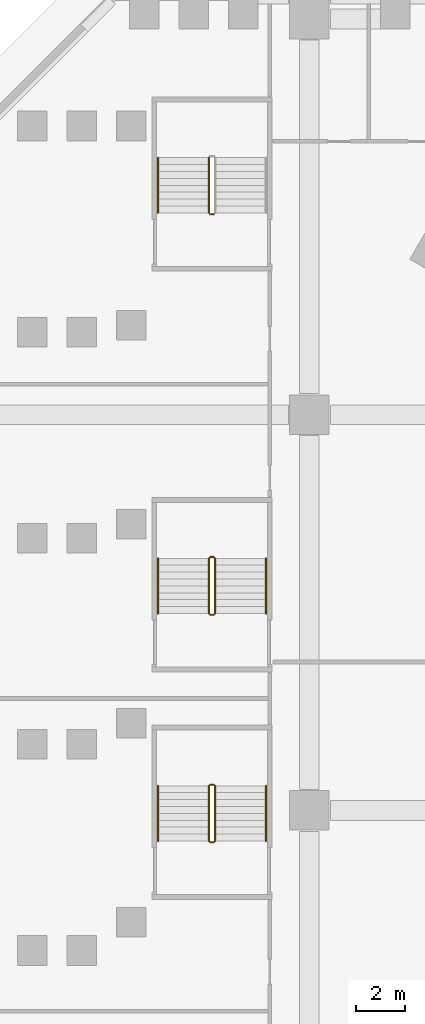
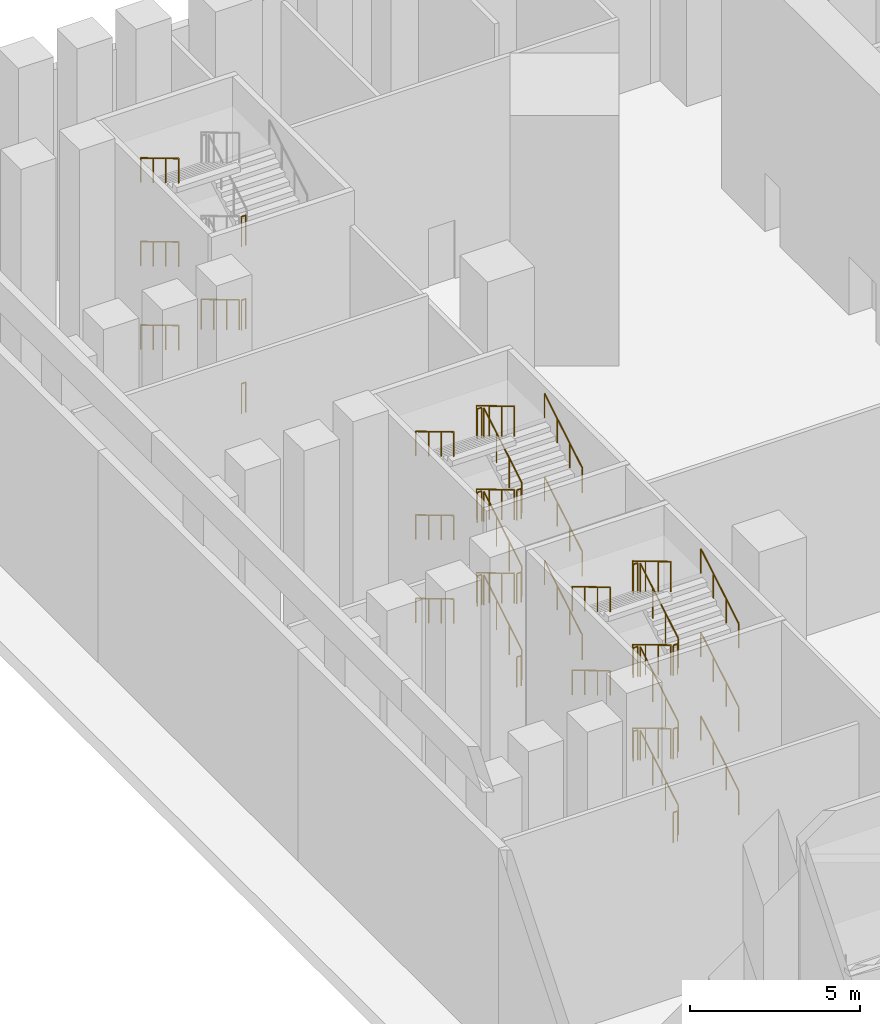
# One storey, part 18 of 25: 42 railings.
"""IFC4 building model written with IfcOpenShell, lengths in metres."""

from ifc_helpers import new_model, si_unit, direction, frame, origin, origin_2d, place, context, subcontext, project, spatial, circle, extrude, material, type_object, element, save


model = new_model("IFC4")

# Units and contexts
model_context = context("Model", 3, precision=1e-05, world=origin(), true_north=direction((0.0, 1.0)))
body_context = subcontext(model_context, "Body", "Model", "MODEL_VIEW")
ifc_project = project(units=[si_unit("LENGTHUNIT", "METRE"), si_unit("AREAUNIT", "SQUARE_METRE"), si_unit("VOLUMEUNIT", "CUBIC_METRE"), si_unit("PLANEANGLEUNIT", "RADIAN"), si_unit("MASSUNIT", "GRAM", prefix="KILO")], contexts=[model_context])

# Site, building, storey
site_placement = place(None, origin())
site = spatial("IfcSite", under=ifc_project, at=site_placement, CompositionType="ELEMENT")
building_placement = place(site_placement, origin())
building = spatial("IfcBuilding", under=site, at=building_placement, Name="Calabash Gate Tower", CompositionType="ELEMENT")
storey_placement = place(building_placement, frame((0.0, 0.0, 20.0)))
storey = spatial("IfcBuildingStorey", under=building, at=storey_placement, Name="L02", CompositionType="ELEMENT", Elevation=20.0)

# Railings
ifc_material_1 = material(Name="Black powder-coated steel balusters", Category="steel")
railing_type_1 = type_object("IfcRailingType", Name="Stair guard RL1100", PredefinedType="GUARDRAIL", material=ifc_material_1)
railing_1_placement = place(storey_placement, frame((-35.81005859375, -9.239990234375, 0.166748046875)))
element("IfcRailing", 1, at=railing_1_placement, inside=storey, type_object=railing_type_1, Name="L02 PS3 stair guard 1", PredefinedType="GUARDRAIL", context=body_context, shape_type="SweptSolid", body=[
    extrude(circle(Radius=0.02392578125, at=origin_2d()), frame((0.0, 0.0, 1.076171875), z_axis=(0.0, 0.858493888361, 0.512823793955), x_axis=(-1.0, 0.0, 0.0)), (0.0, 0.0, 1.0), 2.599853515625),
    extrude(circle(Radius=0.02099609375, at=origin_2d()), origin(), (0.0, 0.0, 1.0), 1.052001953125),
    extrude(circle(Radius=0.02099609375, at=origin_2d()), frame((0.0, 0.743896484375, 0.4443359375)), (0.0, 0.0, 1.0), 1.052001953125),
    extrude(circle(Radius=0.02099609375, at=origin_2d()), frame((0.0, 1.488037109375, 0.888916015625)), (0.0, 0.0, 1.0), 1.052001953125),
    extrude(circle(Radius=0.02099609375, at=origin_2d()), frame((0.0, 2.23193359375, 1.333251953125)), (0.0, 0.0, 1.0), 1.052001953125),
])
railing_2_placement = place(storey_placement, frame((-35.860107421875, -6.9580078125, 1.5)))
element("IfcRailing", 2, at=railing_2_placement, inside=storey, type_object=railing_type_1, Name="L02 PS3 stair guard 2", PredefinedType="GUARDRAIL", context=body_context, shape_type="SweptSolid", body=[
    extrude(circle(Radius=0.02392578125, at=origin_2d()), frame((0.0, 0.0, 1.076171875), z_axis=(-1.0, 0.0, 0.0), x_axis=(0.0, -1.0, 0.0)), (0.0, 0.0, 1.0), 0.14990234375),
    extrude(circle(Radius=0.02099609375, at=origin_2d()), origin(), (0.0, 0.0, 1.0), 1.052001953125),
    extrude(circle(Radius=0.02099609375, at=origin_2d()), frame((-0.14990234375, 0.0, 0.0)), (0.0, 0.0, 1.0), 1.052001953125),
])
railing_3_placement = place(storey_placement, frame((-36.06005859375, -7.008056640625, 1.666748046875)))
element("IfcRailing", 3, at=railing_3_placement, inside=storey, type_object=railing_type_1, Name="L02 PS3 stair guard 3", PredefinedType="GUARDRAIL", context=body_context, shape_type="SweptSolid", body=[
    extrude(circle(Radius=0.02392578125, at=origin_2d()), frame((0.0, 0.0, 1.076171875), z_axis=(0.0, -0.858493888361, 0.512823793955), x_axis=(1.0, 0.0, 0.0)), (0.0, 0.0, 1.0), 2.599853515625),
    extrude(circle(Radius=0.02099609375, at=origin_2d()), origin(), (0.0, 0.0, 1.0), 1.052001953125),
    extrude(circle(Radius=0.02099609375, at=origin_2d()), frame((0.0, -0.743896484375, 0.4443359375)), (0.0, 0.0, 1.0), 1.052001953125),
    extrude(circle(Radius=0.02099609375, at=origin_2d()), frame((0.0, -1.488037109375, 0.888916015625)), (0.0, 0.0, 1.0), 1.052001953125),
    extrude(circle(Radius=0.02099609375, at=origin_2d()), frame((0.0, -2.23193359375, 1.333251953125)), (0.0, 0.0, 1.0), 1.052001953125),
])
railing_4_placement = place(storey_placement, frame((-35.860107421875, -9.2900390625, 3.0)))
element("IfcRailing", 4, at=railing_4_placement, inside=storey, type_object=railing_type_1, Name="L02 PS3 stair guard 4", PredefinedType="GUARDRAIL", context=body_context, shape_type="SweptSolid", body=[
    extrude(circle(Radius=0.02392578125, at=origin_2d()), frame((0.0, 0.0, 1.076171875), z_axis=(-1.0, 0.0, 0.0), x_axis=(0.0, -1.0, 0.0)), (0.0, 0.0, 1.0), 0.14990234375),
    extrude(circle(Radius=0.02099609375, at=origin_2d()), origin(), (0.0, 0.0, 1.0), 1.052001953125),
    extrude(circle(Radius=0.02099609375, at=origin_2d()), frame((-0.14990234375, 0.0, 0.0)), (0.0, 0.0, 1.0), 1.052001953125),
])
railing_5_placement = place(storey_placement, frame((-35.81005859375, -9.239990234375, 3.166748046875)))
element("IfcRailing", 5, at=railing_5_placement, inside=storey, type_object=railing_type_1, Name="L02 PS3 stair guard 5", PredefinedType="GUARDRAIL", context=body_context, shape_type="SweptSolid", body=[
    extrude(circle(Radius=0.02392578125, at=origin_2d()), frame((0.0, 0.0, 1.076171875), z_axis=(0.0, 0.858493888361, 0.512823793955), x_axis=(-1.0, 0.0, 0.0)), (0.0, 0.0, 1.0), 2.599853515625),
    extrude(circle(Radius=0.02099609375, at=origin_2d()), origin(), (0.0, 0.0, 1.0), 1.052001953125),
    extrude(circle(Radius=0.02099609375, at=origin_2d()), frame((0.0, 0.743896484375, 0.4443359375)), (0.0, 0.0, 1.0), 1.052001953125),
    extrude(circle(Radius=0.02099609375, at=origin_2d()), frame((0.0, 1.488037109375, 0.888916015625)), (0.0, 0.0, 1.0), 1.052001953125),
    extrude(circle(Radius=0.02099609375, at=origin_2d()), frame((0.0, 2.23193359375, 1.333251953125)), (0.0, 0.0, 1.0), 1.052001953125),
])
railing_6_placement = place(storey_placement, frame((-35.860107421875, -6.9580078125, 4.5)))
element("IfcRailing", 6, at=railing_6_placement, inside=storey, type_object=railing_type_1, Name="L02 PS3 stair guard 6", PredefinedType="GUARDRAIL", context=body_context, shape_type="SweptSolid", body=[
    extrude(circle(Radius=0.02392578125, at=origin_2d()), frame((0.0, 0.0, 1.076171875), z_axis=(-1.0, 0.0, 0.0), x_axis=(0.0, -1.0, 0.0)), (0.0, 0.0, 1.0), 0.14990234375),
    extrude(circle(Radius=0.02099609375, at=origin_2d()), origin(), (0.0, 0.0, 1.0), 1.052001953125),
    extrude(circle(Radius=0.02099609375, at=origin_2d()), frame((-0.14990234375, 0.0, 0.0)), (0.0, 0.0, 1.0), 1.052001953125),
])
railing_7_placement = place(storey_placement, frame((-36.06005859375, -7.008056640625, 4.666748046875)))
element("IfcRailing", 7, at=railing_7_placement, inside=storey, type_object=railing_type_1, Name="L02 PS3 stair guard 7", PredefinedType="GUARDRAIL", context=body_context, shape_type="SweptSolid", body=[
    extrude(circle(Radius=0.02392578125, at=origin_2d()), frame((0.0, 0.0, 1.076171875), z_axis=(0.0, -0.858493888361, 0.512823793955), x_axis=(1.0, 0.0, 0.0)), (0.0, 0.0, 1.0), 2.599853515625),
    extrude(circle(Radius=0.02099609375, at=origin_2d()), origin(), (0.0, 0.0, 1.0), 1.052001953125),
    extrude(circle(Radius=0.02099609375, at=origin_2d()), frame((0.0, -0.743896484375, 0.4443359375)), (0.0, 0.0, 1.0), 1.052001953125),
    extrude(circle(Radius=0.02099609375, at=origin_2d()), frame((0.0, -1.488037109375, 0.888916015625)), (0.0, 0.0, 1.0), 1.052001953125),
    extrude(circle(Radius=0.02099609375, at=origin_2d()), frame((0.0, -2.23193359375, 1.333251953125)), (0.0, 0.0, 1.0), 1.052001953125),
])
railing_8_placement = place(storey_placement, frame((-35.860107421875, -9.2900390625, 6.0)))
element("IfcRailing", 8, at=railing_8_placement, inside=storey, type_object=railing_type_1, Name="L02 PS3 stair guard 8", PredefinedType="GUARDRAIL", context=body_context, shape_type="SweptSolid", body=[
    extrude(circle(Radius=0.02392578125, at=origin_2d()), frame((0.0, 0.0, 1.076171875), z_axis=(-1.0, 0.0, 0.0), x_axis=(0.0, -1.0, 0.0)), (0.0, 0.0, 1.0), 0.14990234375),
    extrude(circle(Radius=0.02099609375, at=origin_2d()), origin(), (0.0, 0.0, 1.0), 1.052001953125),
    extrude(circle(Radius=0.02099609375, at=origin_2d()), frame((-0.14990234375, 0.0, 0.0)), (0.0, 0.0, 1.0), 1.052001953125),
])
railing_9_placement = place(storey_placement, frame((-35.81005859375, -9.239990234375, 6.166748046875)))
element("IfcRailing", 9, at=railing_9_placement, inside=storey, type_object=railing_type_1, Name="L02 PS3 stair guard 9", PredefinedType="GUARDRAIL", context=body_context, shape_type="SweptSolid", body=[
    extrude(circle(Radius=0.02392578125, at=origin_2d()), frame((0.0, 0.0, 1.076171875), z_axis=(0.0, 0.858493888361, 0.512823793955), x_axis=(-1.0, 0.0, 0.0)), (0.0, 0.0, 1.0), 2.599853515625),
    extrude(circle(Radius=0.02099609375, at=origin_2d()), origin(), (0.0, 0.0, 1.0), 1.052001953125),
    extrude(circle(Radius=0.02099609375, at=origin_2d()), frame((0.0, 0.743896484375, 0.4443359375)), (0.0, 0.0, 1.0), 1.052001953125),
    extrude(circle(Radius=0.02099609375, at=origin_2d()), frame((0.0, 1.488037109375, 0.888916015625)), (0.0, 0.0, 1.0), 1.052001953125),
    extrude(circle(Radius=0.02099609375, at=origin_2d()), frame((0.0, 2.23193359375, 1.333251953125)), (0.0, 0.0, 1.0), 1.052001953125),
])
railing_10_placement = place(storey_placement, frame((-35.860107421875, -6.9580078125, 7.5)))
element("IfcRailing", 10, at=railing_10_placement, inside=storey, type_object=railing_type_1, Name="L02 PS3 stair guard 10", PredefinedType="GUARDRAIL", context=body_context, shape_type="SweptSolid", body=[
    extrude(circle(Radius=0.02392578125, at=origin_2d()), frame((0.0, 0.0, 1.076171875), z_axis=(-1.0, 0.0, 0.0), x_axis=(0.0, -1.0, 0.0)), (0.0, 0.0, 1.0), 0.14990234375),
    extrude(circle(Radius=0.02099609375, at=origin_2d()), origin(), (0.0, 0.0, 1.0), 1.052001953125),
    extrude(circle(Radius=0.02099609375, at=origin_2d()), frame((-0.14990234375, 0.0, 0.0)), (0.0, 0.0, 1.0), 1.052001953125),
])
railing_11_placement = place(storey_placement, frame((-36.06005859375, -7.008056640625, 7.666748046875)))
element("IfcRailing", 11, at=railing_11_placement, inside=storey, type_object=railing_type_1, Name="L02 PS3 stair guard 11", PredefinedType="GUARDRAIL", context=body_context, shape_type="SweptSolid", body=[
    extrude(circle(Radius=0.02392578125, at=origin_2d()), frame((0.0, 0.0, 1.076171875), z_axis=(0.0, -0.858493888361, 0.512823793955), x_axis=(1.0, 0.0, 0.0)), (0.0, 0.0, 1.0), 2.599853515625),
    extrude(circle(Radius=0.02099609375, at=origin_2d()), origin(), (0.0, 0.0, 1.0), 1.052001953125),
    extrude(circle(Radius=0.02099609375, at=origin_2d()), frame((0.0, -0.743896484375, 0.4443359375)), (0.0, 0.0, 1.0), 1.052001953125),
    extrude(circle(Radius=0.02099609375, at=origin_2d()), frame((0.0, -1.488037109375, 0.888916015625)), (0.0, 0.0, 1.0), 1.052001953125),
    extrude(circle(Radius=0.02099609375, at=origin_2d()), frame((0.0, -2.23193359375, 1.333251953125)), (0.0, 0.0, 1.0), 1.052001953125),
])
railing_12_placement = place(storey_placement, frame((-35.860107421875, -9.2900390625, 0.0)))
element("IfcRailing", 12, at=railing_12_placement, inside=storey, type_object=railing_type_1, Name="L02 PS3 stair guard 12", PredefinedType="GUARDRAIL", context=body_context, shape_type="SweptSolid", body=[
    extrude(circle(Radius=0.02392578125, at=origin_2d()), frame((0.0, 0.0, 1.076171875), z_axis=(-1.0, 0.0, 0.0), x_axis=(0.0, -1.0, 0.0)), (0.0, 0.0, 1.0), 0.14990234375),
    extrude(circle(Radius=0.02099609375, at=origin_2d()), origin(), (0.0, 0.0, 1.0), 1.052001953125),
    extrude(circle(Radius=0.02099609375, at=origin_2d()), frame((-0.14990234375, 0.0, 0.0)), (0.0, 0.0, 1.0), 1.052001953125),
])
railing_13_placement = place(storey_placement, frame((-35.81005859375, -0.0400390625, 0.166748046875)))
element("IfcRailing", 13, at=railing_13_placement, inside=storey, type_object=railing_type_1, Name="L02 PS4 stair guard 1", PredefinedType="GUARDRAIL", context=body_context, shape_type="SweptSolid", body=[
    extrude(circle(Radius=0.02392578125, at=origin_2d()), frame((0.0, 0.0, 1.076171875), z_axis=(0.0, 0.858493888361, 0.512823793955), x_axis=(-1.0, 0.0, 0.0)), (0.0, 0.0, 1.0), 2.599853515625),
    extrude(circle(Radius=0.02099609375, at=origin_2d()), origin(), (0.0, 0.0, 1.0), 1.052001953125),
    extrude(circle(Radius=0.02099609375, at=origin_2d()), frame((0.0, 0.743896484375, 0.4443359375)), (0.0, 0.0, 1.0), 1.052001953125),
    extrude(circle(Radius=0.02099609375, at=origin_2d()), frame((0.0, 1.488037109375, 0.888916015625)), (0.0, 0.0, 1.0), 1.052001953125),
    extrude(circle(Radius=0.02099609375, at=origin_2d()), frame((0.0, 2.23193359375, 1.333251953125)), (0.0, 0.0, 1.0), 1.052001953125),
])
railing_14_placement = place(storey_placement, frame((-35.860107421875, 2.241943359375, 1.5)))
element("IfcRailing", 14, at=railing_14_placement, inside=storey, type_object=railing_type_1, Name="L02 PS4 stair guard 2", PredefinedType="GUARDRAIL", context=body_context, shape_type="SweptSolid", body=[
    extrude(circle(Radius=0.02392578125, at=origin_2d()), frame((0.0, 0.0, 1.076171875), z_axis=(-1.0, 0.0, 0.0), x_axis=(0.0, -1.0, 0.0)), (0.0, 0.0, 1.0), 0.14990234375),
    extrude(circle(Radius=0.02099609375, at=origin_2d()), origin(), (0.0, 0.0, 1.0), 1.052001953125),
    extrude(circle(Radius=0.02099609375, at=origin_2d()), frame((-0.14990234375, 0.0, 0.0)), (0.0, 0.0, 1.0), 1.052001953125),
])
railing_15_placement = place(storey_placement, frame((-36.06005859375, 2.19189453125, 1.666748046875)))
element("IfcRailing", 15, at=railing_15_placement, inside=storey, type_object=railing_type_1, Name="L02 PS4 stair guard 3", PredefinedType="GUARDRAIL", context=body_context, shape_type="SweptSolid", body=[
    extrude(circle(Radius=0.02392578125, at=origin_2d()), frame((0.0, 0.0, 1.076171875), z_axis=(0.0, -0.858493888361, 0.512823793955), x_axis=(1.0, 0.0, 0.0)), (0.0, 0.0, 1.0), 2.599853515625),
    extrude(circle(Radius=0.02099609375, at=origin_2d()), origin(), (0.0, 0.0, 1.0), 1.052001953125),
    extrude(circle(Radius=0.02099609375, at=origin_2d()), frame((0.0, -0.743896484375, 0.4443359375)), (0.0, 0.0, 1.0), 1.052001953125),
    extrude(circle(Radius=0.02099609375, at=origin_2d()), frame((0.0, -1.488037109375, 0.888916015625)), (0.0, 0.0, 1.0), 1.052001953125),
    extrude(circle(Radius=0.02099609375, at=origin_2d()), frame((0.0, -2.23193359375, 1.333251953125)), (0.0, 0.0, 1.0), 1.052001953125),
])
railing_16_placement = place(storey_placement, frame((-35.860107421875, -0.090087890625, 3.0)))
element("IfcRailing", 16, at=railing_16_placement, inside=storey, type_object=railing_type_1, Name="L02 PS4 stair guard 4", PredefinedType="GUARDRAIL", context=body_context, shape_type="SweptSolid", body=[
    extrude(circle(Radius=0.02392578125, at=origin_2d()), frame((0.0, 0.0, 1.076171875), z_axis=(-1.0, 0.0, 0.0), x_axis=(0.0, -1.0, 0.0)), (0.0, 0.0, 1.0), 0.14990234375),
    extrude(circle(Radius=0.02099609375, at=origin_2d()), origin(), (0.0, 0.0, 1.0), 1.052001953125),
    extrude(circle(Radius=0.02099609375, at=origin_2d()), frame((-0.14990234375, 0.0, 0.0)), (0.0, 0.0, 1.0), 1.052001953125),
])
railing_17_placement = place(storey_placement, frame((-35.81005859375, -0.0400390625, 3.166748046875)))
element("IfcRailing", 17, at=railing_17_placement, inside=storey, type_object=railing_type_1, Name="L02 PS4 stair guard 5", PredefinedType="GUARDRAIL", context=body_context, shape_type="SweptSolid", body=[
    extrude(circle(Radius=0.02392578125, at=origin_2d()), frame((0.0, 0.0, 1.076171875), z_axis=(0.0, 0.858493888361, 0.512823793955), x_axis=(-1.0, 0.0, 0.0)), (0.0, 0.0, 1.0), 2.599853515625),
    extrude(circle(Radius=0.02099609375, at=origin_2d()), origin(), (0.0, 0.0, 1.0), 1.052001953125),
    extrude(circle(Radius=0.02099609375, at=origin_2d()), frame((0.0, 0.743896484375, 0.4443359375)), (0.0, 0.0, 1.0), 1.052001953125),
    extrude(circle(Radius=0.02099609375, at=origin_2d()), frame((0.0, 1.488037109375, 0.888916015625)), (0.0, 0.0, 1.0), 1.052001953125),
    extrude(circle(Radius=0.02099609375, at=origin_2d()), frame((0.0, 2.23193359375, 1.333251953125)), (0.0, 0.0, 1.0), 1.052001953125),
])
railing_18_placement = place(storey_placement, frame((-35.860107421875, 2.241943359375, 4.5)))
element("IfcRailing", 18, at=railing_18_placement, inside=storey, type_object=railing_type_1, Name="L02 PS4 stair guard 6", PredefinedType="GUARDRAIL", context=body_context, shape_type="SweptSolid", body=[
    extrude(circle(Radius=0.02392578125, at=origin_2d()), frame((0.0, 0.0, 1.076171875), z_axis=(-1.0, 0.0, 0.0), x_axis=(0.0, -1.0, 0.0)), (0.0, 0.0, 1.0), 0.14990234375),
    extrude(circle(Radius=0.02099609375, at=origin_2d()), origin(), (0.0, 0.0, 1.0), 1.052001953125),
    extrude(circle(Radius=0.02099609375, at=origin_2d()), frame((-0.14990234375, 0.0, 0.0)), (0.0, 0.0, 1.0), 1.052001953125),
])
railing_19_placement = place(storey_placement, frame((-36.06005859375, 2.19189453125, 4.666748046875)))
element("IfcRailing", 19, at=railing_19_placement, inside=storey, type_object=railing_type_1, Name="L02 PS4 stair guard 7", PredefinedType="GUARDRAIL", context=body_context, shape_type="SweptSolid", body=[
    extrude(circle(Radius=0.02392578125, at=origin_2d()), frame((0.0, 0.0, 1.076171875), z_axis=(0.0, -0.858493888361, 0.512823793955), x_axis=(1.0, 0.0, 0.0)), (0.0, 0.0, 1.0), 2.599853515625),
    extrude(circle(Radius=0.02099609375, at=origin_2d()), origin(), (0.0, 0.0, 1.0), 1.052001953125),
    extrude(circle(Radius=0.02099609375, at=origin_2d()), frame((0.0, -0.743896484375, 0.4443359375)), (0.0, 0.0, 1.0), 1.052001953125),
    extrude(circle(Radius=0.02099609375, at=origin_2d()), frame((0.0, -1.488037109375, 0.888916015625)), (0.0, 0.0, 1.0), 1.052001953125),
    extrude(circle(Radius=0.02099609375, at=origin_2d()), frame((0.0, -2.23193359375, 1.333251953125)), (0.0, 0.0, 1.0), 1.052001953125),
])
railing_20_placement = place(storey_placement, frame((-35.860107421875, -0.090087890625, 6.0)))
element("IfcRailing", 20, at=railing_20_placement, inside=storey, type_object=railing_type_1, Name="L02 PS4 stair guard 8", PredefinedType="GUARDRAIL", context=body_context, shape_type="SweptSolid", body=[
    extrude(circle(Radius=0.02392578125, at=origin_2d()), frame((0.0, 0.0, 1.076171875), z_axis=(-1.0, 0.0, 0.0), x_axis=(0.0, -1.0, 0.0)), (0.0, 0.0, 1.0), 0.14990234375),
    extrude(circle(Radius=0.02099609375, at=origin_2d()), origin(), (0.0, 0.0, 1.0), 1.052001953125),
    extrude(circle(Radius=0.02099609375, at=origin_2d()), frame((-0.14990234375, 0.0, 0.0)), (0.0, 0.0, 1.0), 1.052001953125),
])
railing_21_placement = place(storey_placement, frame((-35.81005859375, -0.0400390625, 6.166748046875)))
element("IfcRailing", 21, at=railing_21_placement, inside=storey, type_object=railing_type_1, Name="L02 PS4 stair guard 9", PredefinedType="GUARDRAIL", context=body_context, shape_type="SweptSolid", body=[
    extrude(circle(Radius=0.02392578125, at=origin_2d()), frame((0.0, 0.0, 1.076171875), z_axis=(0.0, 0.858493888361, 0.512823793955), x_axis=(-1.0, 0.0, 0.0)), (0.0, 0.0, 1.0), 2.599853515625),
    extrude(circle(Radius=0.02099609375, at=origin_2d()), origin(), (0.0, 0.0, 1.0), 1.052001953125),
    extrude(circle(Radius=0.02099609375, at=origin_2d()), frame((0.0, 0.743896484375, 0.4443359375)), (0.0, 0.0, 1.0), 1.052001953125),
    extrude(circle(Radius=0.02099609375, at=origin_2d()), frame((0.0, 1.488037109375, 0.888916015625)), (0.0, 0.0, 1.0), 1.052001953125),
    extrude(circle(Radius=0.02099609375, at=origin_2d()), frame((0.0, 2.23193359375, 1.333251953125)), (0.0, 0.0, 1.0), 1.052001953125),
])
railing_22_placement = place(storey_placement, frame((-35.860107421875, 2.241943359375, 7.5)))
element("IfcRailing", 22, at=railing_22_placement, inside=storey, type_object=railing_type_1, Name="L02 PS4 stair guard 10", PredefinedType="GUARDRAIL", context=body_context, shape_type="SweptSolid", body=[
    extrude(circle(Radius=0.02392578125, at=origin_2d()), frame((0.0, 0.0, 1.076171875), z_axis=(-1.0, 0.0, 0.0), x_axis=(0.0, -1.0, 0.0)), (0.0, 0.0, 1.0), 0.14990234375),
    extrude(circle(Radius=0.02099609375, at=origin_2d()), origin(), (0.0, 0.0, 1.0), 1.052001953125),
    extrude(circle(Radius=0.02099609375, at=origin_2d()), frame((-0.14990234375, 0.0, 0.0)), (0.0, 0.0, 1.0), 1.052001953125),
])
railing_23_placement = place(storey_placement, frame((-36.06005859375, 2.19189453125, 7.666748046875)))
element("IfcRailing", 23, at=railing_23_placement, inside=storey, type_object=railing_type_1, Name="L02 PS4 stair guard 11", PredefinedType="GUARDRAIL", context=body_context, shape_type="SweptSolid", body=[
    extrude(circle(Radius=0.02392578125, at=origin_2d()), frame((0.0, 0.0, 1.076171875), z_axis=(0.0, -0.858493888361, 0.512823793955), x_axis=(1.0, 0.0, 0.0)), (0.0, 0.0, 1.0), 2.599853515625),
    extrude(circle(Radius=0.02099609375, at=origin_2d()), origin(), (0.0, 0.0, 1.0), 1.052001953125),
    extrude(circle(Radius=0.02099609375, at=origin_2d()), frame((0.0, -0.743896484375, 0.4443359375)), (0.0, 0.0, 1.0), 1.052001953125),
    extrude(circle(Radius=0.02099609375, at=origin_2d()), frame((0.0, -1.488037109375, 0.888916015625)), (0.0, 0.0, 1.0), 1.052001953125),
    extrude(circle(Radius=0.02099609375, at=origin_2d()), frame((0.0, -2.23193359375, 1.333251953125)), (0.0, 0.0, 1.0), 1.052001953125),
])
railing_24_placement = place(storey_placement, frame((-35.860107421875, -0.090087890625, 0.0)))
element("IfcRailing", 24, at=railing_24_placement, inside=storey, type_object=railing_type_1, Name="L02 PS4 stair guard 12", PredefinedType="GUARDRAIL", context=body_context, shape_type="SweptSolid", body=[
    extrude(circle(Radius=0.02392578125, at=origin_2d()), frame((0.0, 0.0, 1.076171875), z_axis=(-1.0, 0.0, 0.0), x_axis=(0.0, -1.0, 0.0)), (0.0, 0.0, 1.0), 0.14990234375),
    extrude(circle(Radius=0.02099609375, at=origin_2d()), origin(), (0.0, 0.0, 1.0), 1.052001953125),
    extrude(circle(Radius=0.02099609375, at=origin_2d()), frame((-0.14990234375, 0.0, 0.0)), (0.0, 0.0, 1.0), 1.052001953125),
])
railing_25_placement = place(storey_placement, frame((-36.06005859375, 18.39208984375, 1.666748046875)))
element("IfcRailing", 25, at=railing_25_placement, inside=storey, type_object=railing_type_1, Name="L02 PS5 stair guard 3", PredefinedType="GUARDRAIL", context=body_context, shape_type="SweptSolid", body=[
    extrude(circle(Radius=0.02392578125, at=origin_2d()), frame((0.0, 0.0, 1.076171875), z_axis=(0.0, -0.8585185817, 0.512782453753), x_axis=(1.0, 0.0, 0.0)), (0.0, 0.0, 1.0), 2.60009765625),
    extrude(circle(Radius=0.02099609375, at=origin_2d()), origin(), (0.0, 0.0, 1.0), 1.052001953125),
    extrude(circle(Radius=0.02099609375, at=origin_2d()), frame((0.0, -0.744140625, 0.4443359375)), (0.0, 0.0, 1.0), 1.052001953125),
    extrude(circle(Radius=0.02099609375, at=origin_2d()), frame((0.0, -1.488037109375, 0.888916015625)), (0.0, 0.0, 1.0), 1.052001953125),
    extrude(circle(Radius=0.02099609375, at=origin_2d()), frame((0.0, -2.232177734375, 1.333251953125)), (0.0, 0.0, 1.0), 1.052001953125),
])
for number, where, name in (
    (26, (-35.860107421875, 16.110107421875, 3.0), "L02 PS5 stair guard 4"),
    (27, (-35.860107421875, 16.110107421875, 6.0), "L02 PS5 stair guard 8"),
    (28, (-35.860107421875, 16.110107421875, 0.0), "L02 PS5 stair guard 12"),
):
    element("IfcRailing", number, at=place(storey_placement, frame(where)), inside=storey, type_object=railing_type_1, Name=name, PredefinedType="GUARDRAIL", context=body_context, shape_type="SweptSolid", body=[
        extrude(circle(Radius=0.02392578125, at=origin_2d()), frame((0.0, 0.0, 1.076171875), z_axis=(-1.0, 0.0, 0.0), x_axis=(0.0, -1.0, 0.0)), (0.0, 0.0, 1.0), 0.14990234375),
        extrude(circle(Radius=0.02099609375, at=origin_2d()), origin(), (0.0, 0.0, 1.0), 1.052001953125),
        extrude(circle(Radius=0.02099609375, at=origin_2d()), frame((-0.14990234375, 0.0, 0.0)), (0.0, 0.0, 1.0), 1.052001953125),
    ])
ifc_material_2 = material(Name="Black powder-coated steel tube 48 mm", Category="steel")
railing_type_2 = type_object("IfcRailingType", Name="Stair handrail RL900", PredefinedType="HANDRAIL", material=ifc_material_2)
for number, where, name in (
    (29, (-33.75, -9.239990234375, 0.166748046875), "L02 PS3 stair handrail 1"),
    (30, (-33.75, -9.239990234375, 3.166748046875), "L02 PS3 stair handrail 3"),
):
    element("IfcRailing", number, at=place(storey_placement, frame(where)), inside=storey, type_object=railing_type_2, Name=name, PredefinedType="HANDRAIL", context=body_context, shape_type="SweptSolid", body=[
        extrude(circle(Radius=0.02392578125, at=origin_2d()), frame((0.0, 0.0, 0.8759765625), z_axis=(0.0, 0.858493888361, 0.512823793955), x_axis=(-1.0, 0.0, 0.0)), (0.0, 0.0, 1.0), 2.599853515625),
        extrude(circle(Radius=0.02099609375, at=origin_2d()), origin(), (0.0, 0.0, 1.0), 0.851806640625),
        extrude(circle(Radius=0.02099609375, at=origin_2d()), frame((0.0, 0.743896484375, 0.4443359375)), (0.0, 0.0, 1.0), 0.851806640625),
        extrude(circle(Radius=0.02099609375, at=origin_2d()), frame((0.0, 1.488037109375, 0.888916015625)), (0.0, 0.0, 1.0), 0.851806640625),
        extrude(circle(Radius=0.02099609375, at=origin_2d()), frame((0.0, 2.23193359375, 1.333251953125)), (0.0, 0.0, 1.0), 0.851806640625),
    ])
railing_26_placement = place(storey_placement, frame((-38.1201171875, -7.008056640625, 4.666748046875)))
element("IfcRailing", 31, at=railing_26_placement, inside=storey, type_object=railing_type_2, Name="L02 PS3 stair handrail 4", PredefinedType="HANDRAIL", context=body_context, shape_type="SweptSolid", body=[
    extrude(circle(Radius=0.02392578125, at=origin_2d()), frame((0.0, 0.0, 0.8759765625), z_axis=(0.0, -0.858493888361, 0.512823793955), x_axis=(1.0, 0.0, 0.0)), (0.0, 0.0, 1.0), 2.599853515625),
    extrude(circle(Radius=0.02099609375, at=origin_2d()), origin(), (0.0, 0.0, 1.0), 0.851806640625),
    extrude(circle(Radius=0.02099609375, at=origin_2d()), frame((0.0, -0.743896484375, 0.4443359375)), (0.0, 0.0, 1.0), 0.851806640625),
    extrude(circle(Radius=0.02099609375, at=origin_2d()), frame((0.0, -1.488037109375, 0.888916015625)), (0.0, 0.0, 1.0), 0.851806640625),
    extrude(circle(Radius=0.02099609375, at=origin_2d()), frame((0.0, -2.23193359375, 1.333251953125)), (0.0, 0.0, 1.0), 0.851806640625),
])
railing_27_placement = place(storey_placement, frame((-33.75, -9.239990234375, 6.166748046875)))
element("IfcRailing", 32, at=railing_27_placement, inside=storey, type_object=railing_type_2, Name="L02 PS3 stair handrail 5", PredefinedType="HANDRAIL", context=body_context, shape_type="SweptSolid", body=[
    extrude(circle(Radius=0.02392578125, at=origin_2d()), frame((0.0, 0.0, 0.8759765625), z_axis=(0.0, 0.858493888361, 0.512823793955), x_axis=(-1.0, 0.0, 0.0)), (0.0, 0.0, 1.0), 2.599853515625),
    extrude(circle(Radius=0.02099609375, at=origin_2d()), origin(), (0.0, 0.0, 1.0), 0.851806640625),
    extrude(circle(Radius=0.02099609375, at=origin_2d()), frame((0.0, 0.743896484375, 0.4443359375)), (0.0, 0.0, 1.0), 0.851806640625),
    extrude(circle(Radius=0.02099609375, at=origin_2d()), frame((0.0, 1.488037109375, 0.888916015625)), (0.0, 0.0, 1.0), 0.851806640625),
    extrude(circle(Radius=0.02099609375, at=origin_2d()), frame((0.0, 2.23193359375, 1.333251953125)), (0.0, 0.0, 1.0), 0.851806640625),
])
railing_28_placement = place(storey_placement, frame((-38.1201171875, -7.008056640625, 7.666748046875)))
element("IfcRailing", 33, at=railing_28_placement, inside=storey, type_object=railing_type_2, Name="L02 PS3 stair handrail 6", PredefinedType="HANDRAIL", context=body_context, shape_type="SweptSolid", body=[
    extrude(circle(Radius=0.02392578125, at=origin_2d()), frame((0.0, 0.0, 0.8759765625), z_axis=(0.0, -0.858493888361, 0.512823793955), x_axis=(1.0, 0.0, 0.0)), (0.0, 0.0, 1.0), 2.599853515625),
    extrude(circle(Radius=0.02099609375, at=origin_2d()), origin(), (0.0, 0.0, 1.0), 0.851806640625),
    extrude(circle(Radius=0.02099609375, at=origin_2d()), frame((0.0, -0.743896484375, 0.4443359375)), (0.0, 0.0, 1.0), 0.851806640625),
    extrude(circle(Radius=0.02099609375, at=origin_2d()), frame((0.0, -1.488037109375, 0.888916015625)), (0.0, 0.0, 1.0), 0.851806640625),
    extrude(circle(Radius=0.02099609375, at=origin_2d()), frame((0.0, -2.23193359375, 1.333251953125)), (0.0, 0.0, 1.0), 0.851806640625),
])
railing_29_placement = place(storey_placement, frame((-33.75, -0.0400390625, 0.166748046875)))
element("IfcRailing", 34, at=railing_29_placement, inside=storey, type_object=railing_type_2, Name="L02 PS4 stair handrail 1", PredefinedType="HANDRAIL", context=body_context, shape_type="SweptSolid", body=[
    extrude(circle(Radius=0.02392578125, at=origin_2d()), frame((0.0, 0.0, 0.8759765625), z_axis=(0.0, 0.858493888361, 0.512823793955), x_axis=(-1.0, 0.0, 0.0)), (0.0, 0.0, 1.0), 2.599853515625),
    extrude(circle(Radius=0.02099609375, at=origin_2d()), origin(), (0.0, 0.0, 1.0), 0.851806640625),
    extrude(circle(Radius=0.02099609375, at=origin_2d()), frame((0.0, 0.743896484375, 0.4443359375)), (0.0, 0.0, 1.0), 0.851806640625),
    extrude(circle(Radius=0.02099609375, at=origin_2d()), frame((0.0, 1.488037109375, 0.888916015625)), (0.0, 0.0, 1.0), 0.851806640625),
    extrude(circle(Radius=0.02099609375, at=origin_2d()), frame((0.0, 2.23193359375, 1.333251953125)), (0.0, 0.0, 1.0), 0.851806640625),
])
railing_30_placement = place(storey_placement, frame((-38.1201171875, 2.19189453125, 1.666748046875)))
element("IfcRailing", 35, at=railing_30_placement, inside=storey, type_object=railing_type_2, Name="L02 PS4 stair handrail 2", PredefinedType="HANDRAIL", context=body_context, shape_type="SweptSolid", body=[
    extrude(circle(Radius=0.02392578125, at=origin_2d()), frame((0.0, 0.0, 0.8759765625), z_axis=(0.0, -0.858493888361, 0.512823793955), x_axis=(1.0, 0.0, 0.0)), (0.0, 0.0, 1.0), 2.599853515625),
    extrude(circle(Radius=0.02099609375, at=origin_2d()), origin(), (0.0, 0.0, 1.0), 0.851806640625),
    extrude(circle(Radius=0.02099609375, at=origin_2d()), frame((0.0, -0.743896484375, 0.4443359375)), (0.0, 0.0, 1.0), 0.851806640625),
    extrude(circle(Radius=0.02099609375, at=origin_2d()), frame((0.0, -1.488037109375, 0.888916015625)), (0.0, 0.0, 1.0), 0.851806640625),
    extrude(circle(Radius=0.02099609375, at=origin_2d()), frame((0.0, -2.23193359375, 1.333251953125)), (0.0, 0.0, 1.0), 0.851806640625),
])
railing_31_placement = place(storey_placement, frame((-33.75, -0.0400390625, 3.166748046875)))
element("IfcRailing", 36, at=railing_31_placement, inside=storey, type_object=railing_type_2, Name="L02 PS4 stair handrail 3", PredefinedType="HANDRAIL", context=body_context, shape_type="SweptSolid", body=[
    extrude(circle(Radius=0.02392578125, at=origin_2d()), frame((0.0, 0.0, 0.8759765625), z_axis=(0.0, 0.858493888361, 0.512823793955), x_axis=(-1.0, 0.0, 0.0)), (0.0, 0.0, 1.0), 2.599853515625),
    extrude(circle(Radius=0.02099609375, at=origin_2d()), origin(), (0.0, 0.0, 1.0), 0.851806640625),
    extrude(circle(Radius=0.02099609375, at=origin_2d()), frame((0.0, 0.743896484375, 0.4443359375)), (0.0, 0.0, 1.0), 0.851806640625),
    extrude(circle(Radius=0.02099609375, at=origin_2d()), frame((0.0, 1.488037109375, 0.888916015625)), (0.0, 0.0, 1.0), 0.851806640625),
    extrude(circle(Radius=0.02099609375, at=origin_2d()), frame((0.0, 2.23193359375, 1.333251953125)), (0.0, 0.0, 1.0), 0.851806640625),
])
railing_32_placement = place(storey_placement, frame((-38.1201171875, 2.19189453125, 4.666748046875)))
element("IfcRailing", 37, at=railing_32_placement, inside=storey, type_object=railing_type_2, Name="L02 PS4 stair handrail 4", PredefinedType="HANDRAIL", context=body_context, shape_type="SweptSolid", body=[
    extrude(circle(Radius=0.02392578125, at=origin_2d()), frame((0.0, 0.0, 0.8759765625), z_axis=(0.0, -0.858493888361, 0.512823793955), x_axis=(1.0, 0.0, 0.0)), (0.0, 0.0, 1.0), 2.599853515625),
    extrude(circle(Radius=0.02099609375, at=origin_2d()), origin(), (0.0, 0.0, 1.0), 0.851806640625),
    extrude(circle(Radius=0.02099609375, at=origin_2d()), frame((0.0, -0.743896484375, 0.4443359375)), (0.0, 0.0, 1.0), 0.851806640625),
    extrude(circle(Radius=0.02099609375, at=origin_2d()), frame((0.0, -1.488037109375, 0.888916015625)), (0.0, 0.0, 1.0), 0.851806640625),
    extrude(circle(Radius=0.02099609375, at=origin_2d()), frame((0.0, -2.23193359375, 1.333251953125)), (0.0, 0.0, 1.0), 0.851806640625),
])
railing_33_placement = place(storey_placement, frame((-33.75, -0.0400390625, 6.166748046875)))
element("IfcRailing", 38, at=railing_33_placement, inside=storey, type_object=railing_type_2, Name="L02 PS4 stair handrail 5", PredefinedType="HANDRAIL", context=body_context, shape_type="SweptSolid", body=[
    extrude(circle(Radius=0.02392578125, at=origin_2d()), frame((0.0, 0.0, 0.8759765625), z_axis=(0.0, 0.858493888361, 0.512823793955), x_axis=(-1.0, 0.0, 0.0)), (0.0, 0.0, 1.0), 2.599853515625),
    extrude(circle(Radius=0.02099609375, at=origin_2d()), origin(), (0.0, 0.0, 1.0), 0.851806640625),
    extrude(circle(Radius=0.02099609375, at=origin_2d()), frame((0.0, 0.743896484375, 0.4443359375)), (0.0, 0.0, 1.0), 0.851806640625),
    extrude(circle(Radius=0.02099609375, at=origin_2d()), frame((0.0, 1.488037109375, 0.888916015625)), (0.0, 0.0, 1.0), 0.851806640625),
    extrude(circle(Radius=0.02099609375, at=origin_2d()), frame((0.0, 2.23193359375, 1.333251953125)), (0.0, 0.0, 1.0), 0.851806640625),
])
railing_34_placement = place(storey_placement, frame((-38.1201171875, 2.19189453125, 7.666748046875)))
element("IfcRailing", 39, at=railing_34_placement, inside=storey, type_object=railing_type_2, Name="L02 PS4 stair handrail 6", PredefinedType="HANDRAIL", context=body_context, shape_type="SweptSolid", body=[
    extrude(circle(Radius=0.02392578125, at=origin_2d()), frame((0.0, 0.0, 0.8759765625), z_axis=(0.0, -0.858493888361, 0.512823793955), x_axis=(1.0, 0.0, 0.0)), (0.0, 0.0, 1.0), 2.599853515625),
    extrude(circle(Radius=0.02099609375, at=origin_2d()), origin(), (0.0, 0.0, 1.0), 0.851806640625),
    extrude(circle(Radius=0.02099609375, at=origin_2d()), frame((0.0, -0.743896484375, 0.4443359375)), (0.0, 0.0, 1.0), 0.851806640625),
    extrude(circle(Radius=0.02099609375, at=origin_2d()), frame((0.0, -1.488037109375, 0.888916015625)), (0.0, 0.0, 1.0), 0.851806640625),
    extrude(circle(Radius=0.02099609375, at=origin_2d()), frame((0.0, -2.23193359375, 1.333251953125)), (0.0, 0.0, 1.0), 0.851806640625),
])
for number, where, name in (
    (40, (-38.1201171875, 18.39208984375, 1.666748046875), "L02 PS5 stair handrail 2"),
    (41, (-38.1201171875, 18.39208984375, 4.666748046875), "L02 PS5 stair handrail 4"),
    (42, (-38.1201171875, 18.39208984375, 7.666748046875), "L02 PS5 stair handrail 6"),
):
    element("IfcRailing", number, at=place(storey_placement, frame(where)), inside=storey, type_object=railing_type_2, Name=name, PredefinedType="HANDRAIL", context=body_context, shape_type="SweptSolid", body=[
        extrude(circle(Radius=0.02392578125, at=origin_2d()), frame((0.0, 0.0, 0.8759765625), z_axis=(0.0, -0.8585185817, 0.512782453753), x_axis=(1.0, 0.0, 0.0)), (0.0, 0.0, 1.0), 2.60009765625),
        extrude(circle(Radius=0.02099609375, at=origin_2d()), origin(), (0.0, 0.0, 1.0), 0.851806640625),
        extrude(circle(Radius=0.02099609375, at=origin_2d()), frame((0.0, -0.744140625, 0.4443359375)), (0.0, 0.0, 1.0), 0.851806640625),
        extrude(circle(Radius=0.02099609375, at=origin_2d()), frame((0.0, -1.488037109375, 0.888916015625)), (0.0, 0.0, 1.0), 0.851806640625),
        extrude(circle(Radius=0.02099609375, at=origin_2d()), frame((0.0, -2.232177734375, 1.333251953125)), (0.0, 0.0, 1.0), 0.851806640625),
    ])

save(model, "model.ifc")
